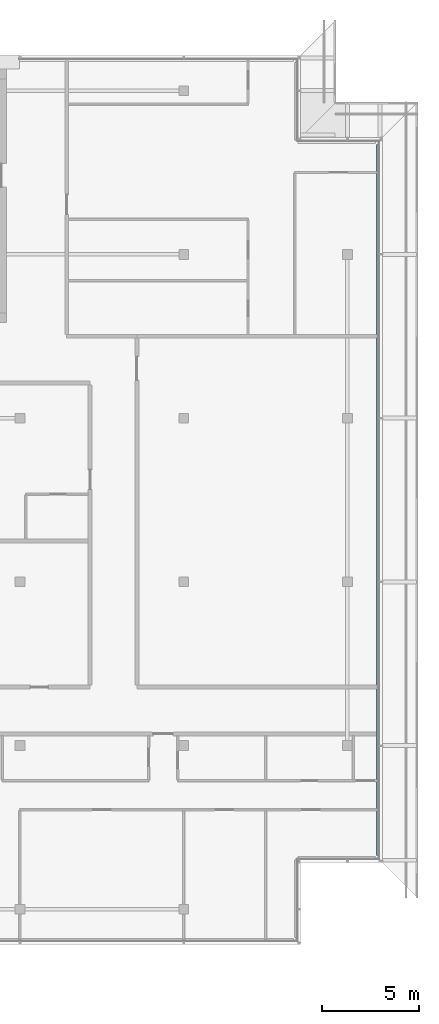
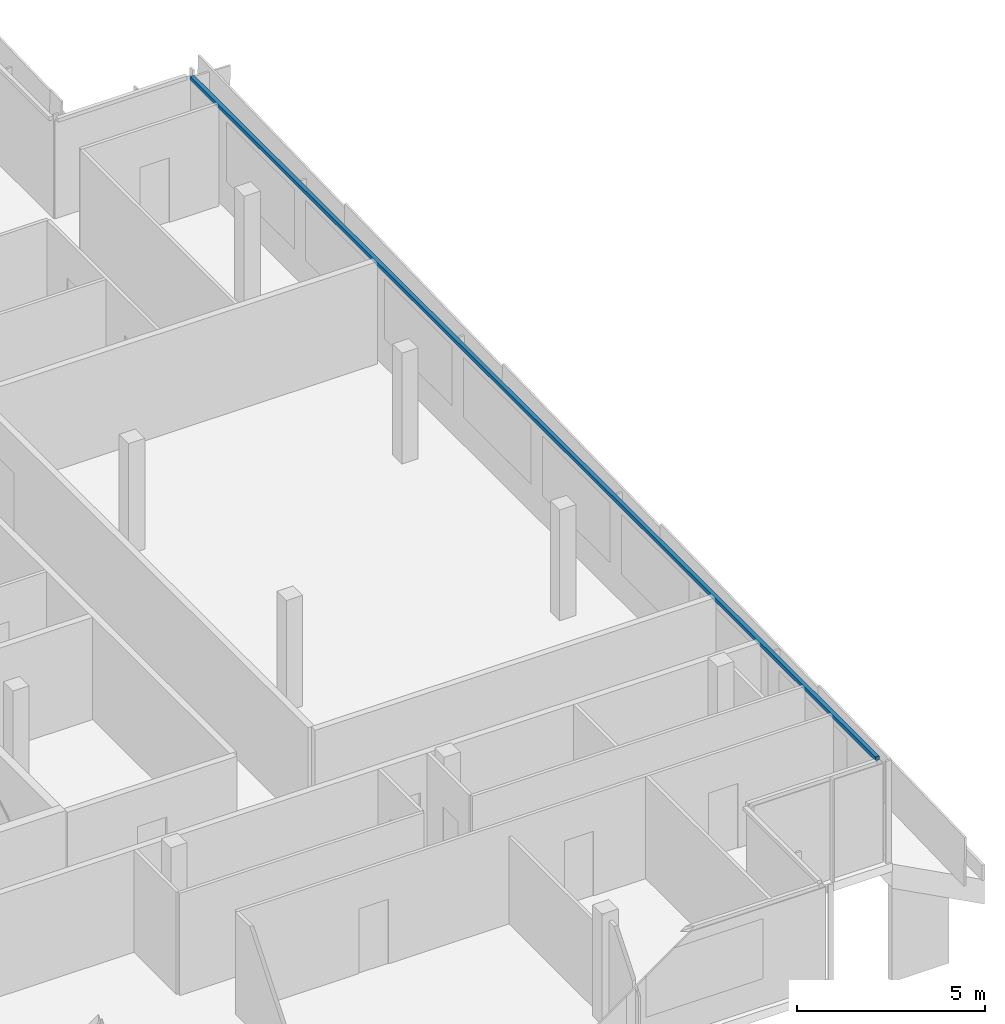
# One storey, part 12 of 27: 1 member, 1 element without a shape of its own.
"""IFC4 building model written with IfcOpenShell, lengths in metres."""

from ifc_helpers import new_model, si_unit, direction, frame, origin, origin_2d, place, context, subcontext, project, spatial, rectangle, extrude, material, material_profile, profile_set, type_object, element, aggregate, save


model = new_model("IFC4")

# Units and contexts
model_context = context("Model", 3, precision=1e-05, world=origin(), true_north=direction((0.0, 1.0)))
body_context = subcontext(model_context, "Body", "Model", "MODEL_VIEW")
ifc_project = project(units=[si_unit("LENGTHUNIT", "METRE"), si_unit("AREAUNIT", "SQUARE_METRE"), si_unit("VOLUMEUNIT", "CUBIC_METRE"), si_unit("PLANEANGLEUNIT", "RADIAN"), si_unit("MASSUNIT", "GRAM", prefix="KILO")], contexts=[model_context])

# Site, building, storey
site_placement = place(None, origin())
site = spatial("IfcSite", under=ifc_project, at=site_placement, CompositionType="ELEMENT")
building_placement = place(site_placement, origin())
building = spatial("IfcBuilding", under=site, at=building_placement, Name="Saffron Gate Tower", CompositionType="ELEMENT")
storey_placement = place(building_placement, frame((0.0, 0.0, 267.14990234375)))
storey = spatial("IfcBuildingStorey", under=building, at=storey_placement, Name="L64", CompositionType="ELEMENT", Elevation=267.14990234375)

# Curtain wall, member
ifc_material = material(Name="Aluminium, bronze anodised", Category="aluminium")
curtain_wall_type = type_object("IfcCurtainWallType", Name="CWS2 curtain wall side facades", PredefinedType="NOTDEFINED", material=ifc_material)
curtain_wall_placement = place(storey_placement, origin())
curtain_wall = element("IfcCurtainWall", 1, at=curtain_wall_placement, inside=storey, type_object=curtain_wall_type, Name="CWS2 run 4", PredefinedType="NOTDEFINED")
ifc_material_profile = material_profile(ifc_material, rectangle(XDim=0.1201171875, YDim=0.1201171875, at=origin_2d()))
ifc_profile_set = profile_set([ifc_material_profile], Name="Aluminium, bronze anodised")
member_type = type_object("IfcMemberType", Name="CWS2 head transom", PredefinedType="USERDEFINED", material=ifc_profile_set)
member_placement = place(storey_placement, frame((126.951904296875, 34.568115234375, 3.260009765625), z_axis=(0.0, 1.0, 0.0), x_axis=(-1.0, 0.0, 0.0)))
member = element("IfcMember", 2, at=member_placement, type_object=member_type, Name="CWS2 head transom", ObjectType="TRANSOM", PredefinedType="USERDEFINED", context=body_context, shape_type="SweptSolid", body=[
    extrude(rectangle(XDim=0.1201171875, YDim=0.1201171875, at=origin_2d()), origin(), (0.0, 0.0, 1.0), 36.4638671875),
])
aggregate(curtain_wall, [member])

save(model, "model.ifc")
